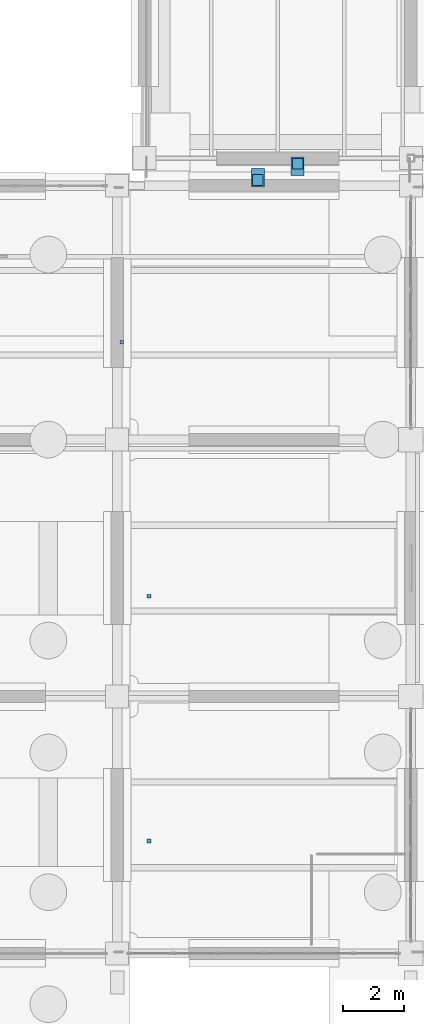
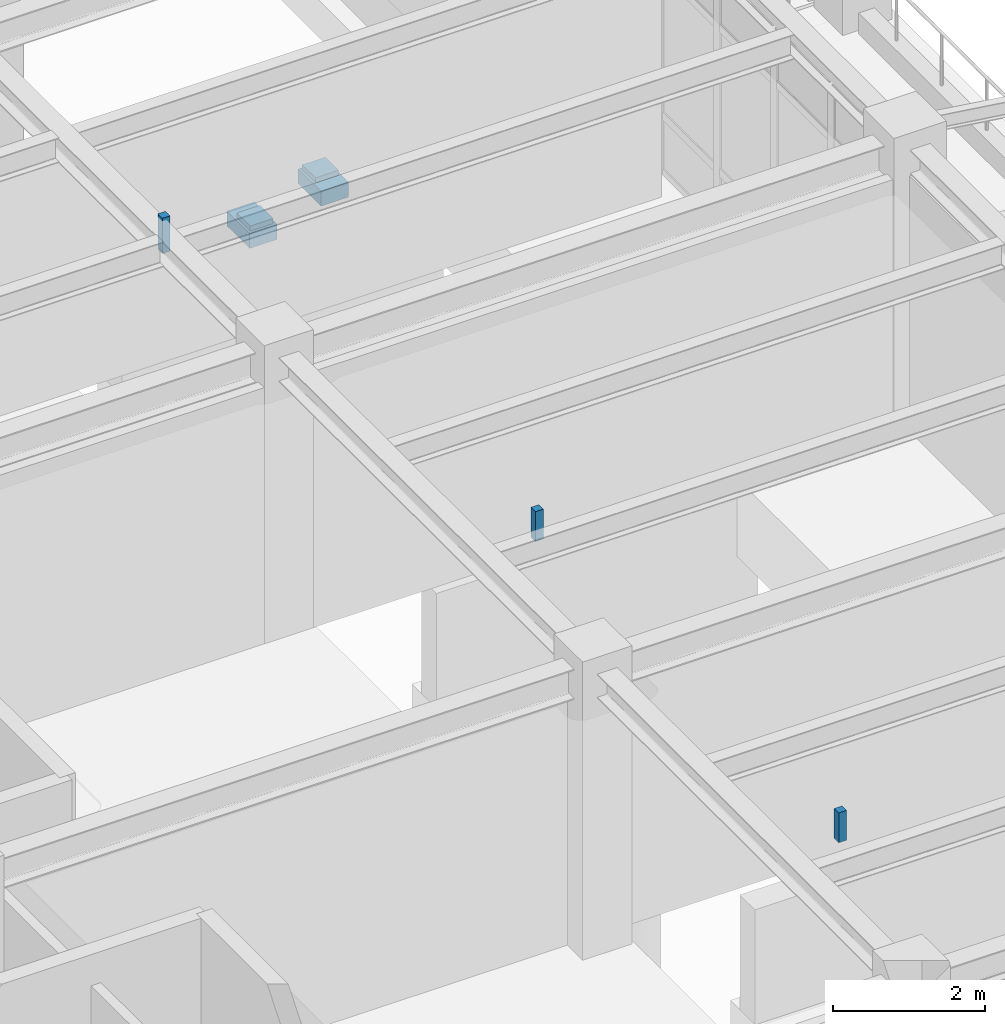
# One storey, part 93 of 111: 7 discrete accessories.
"""IFC4 building model written with IfcOpenShell, lengths in metres."""

from ifc_helpers import new_model, si_unit, direction, frame, origin, origin_2d, place, context, subcontext, project, spatial, rectangle, extrude, material, layer, layer_set, type_object, element, save


model = new_model("IFC4")

# Units and contexts
model_context = context("Model", 3, precision=1e-05, world=origin(), true_north=direction((0.0, 1.0)))
body_context = subcontext(model_context, "Body", "Model", "MODEL_VIEW")
ifc_project = project(units=[si_unit("LENGTHUNIT", "METRE"), si_unit("AREAUNIT", "SQUARE_METRE"), si_unit("VOLUMEUNIT", "CUBIC_METRE"), si_unit("PLANEANGLEUNIT", "RADIAN"), si_unit("MASSUNIT", "GRAM", prefix="KILO")], contexts=[model_context])

# Site, building, storey
site_placement = place(None, origin())
site = spatial("IfcSite", under=ifc_project, at=site_placement, CompositionType="ELEMENT")
building_placement = place(site_placement, origin())
building = spatial("IfcBuilding", under=site, at=building_placement, Name="Canglan Escarpment Cableway Terminal", CompositionType="ELEMENT")
storey_placement = place(building_placement, frame((0.0, 0.0, 4.800048828125)))
storey = spatial("IfcBuildingStorey", under=building, at=storey_placement, Name="L01", CompositionType="ELEMENT", Elevation=4.800048828125)

# Discrete accessories
ifc_material_1 = material(Name="Steel Q355B", Category="steel")
ifc_layer_1 = layer(ifc_material_1, 0.159912109375, Name="Steel Q355B")
ifc_layer_set_1 = layer_set([ifc_layer_1], Name="Steel Q355B")
discrete_accessory_type_1 = type_object("IfcDiscreteAccessoryType", Name="ACC-BRACKET-01", PredefinedType="BRACKET", material=ifc_layer_set_1)
discrete_accessory_1_placement = place(storey_placement, frame((167.43994140625, 19.675048828125, 4.08984375), z_axis=(0.0, 0.0, 1.0), x_axis=(1.0, 0.0, 0.0)))
element("IfcDiscreteAccessory", 1, at=discrete_accessory_1_placement, inside=storey, type_object=discrete_accessory_type_1, Name="Suspended ceiling hanger bracket BK-01", PredefinedType="BRACKET", context=body_context, shape_type="SweptSolid", body=[
    extrude(rectangle(XDim=0.1201171875, YDim=0.1201171875, at=origin_2d()), origin(), (0.0, 0.0, 1.0), 0.47998046875),
])
discrete_accessory_2_placement = place(storey_placement, frame((166.550048828125, 27.97998046875, 4.001953125), z_axis=(0.0, 0.0, 1.0), x_axis=(1.0, 0.0, 0.0)))
element("IfcDiscreteAccessory", 2, at=discrete_accessory_2_placement, inside=storey, type_object=discrete_accessory_type_1, Name="Suspended ceiling hanger bracket BK-01", PredefinedType="BRACKET", context=body_context, shape_type="SweptSolid", body=[
    extrude(rectangle(XDim=0.1201171875, YDim=0.1201171875, at=origin_2d()), origin(), (0.0, 0.0, 1.0), 0.568115234375),
])
discrete_accessory_3_placement = place(storey_placement, frame((167.43994140625, 11.675048828125, 4.08984375), z_axis=(0.0, 0.0, 1.0), x_axis=(1.0, 0.0, 0.0)))
element("IfcDiscreteAccessory", 3, at=discrete_accessory_3_placement, inside=storey, type_object=discrete_accessory_type_1, Name="Suspended ceiling hanger bracket BK-01", PredefinedType="BRACKET", context=body_context, shape_type="SweptSolid", body=[
    extrude(rectangle(XDim=0.1201171875, YDim=0.1201171875, at=origin_2d()), origin(), (0.0, 0.0, 1.0), 0.47998046875),
])
ifc_material_2 = material(Name="Concrete C40", Category="concrete")
ifc_layer_2 = layer(ifc_material_2, 0.239990234375, Name="Concrete C40")
ifc_layer_set_2 = layer_set([ifc_layer_2], Name="Concrete C40")
discrete_accessory_type_2 = type_object("IfcDiscreteAccessoryType", Name="ACC-CORBEL-CB01", PredefinedType="BRACKET", material=ifc_layer_set_2)
for number, where, z_axis, x_axis, name in (
    (4, (171.0, 33.364990234375, -0.5400390625), (0.0, 0.0, 1.0), (1.0, 0.0, 0.0), "Concrete C40 movement-joint corbel bearing ledge CB-01"),
    (5, (172.300048828125, 33.735107421875, -0.5400390625), (0.0, 0.0, 1.0), (1.0, 0.0, 0.0), "Concrete C40 movement-joint corbel bearing ledge CB-01"),
):
    element("IfcDiscreteAccessory", number, at=place(storey_placement, frame(where, z_axis=z_axis, x_axis=x_axis)), inside=storey, type_object=discrete_accessory_type_2, Name=name, PredefinedType="BRACKET", context=body_context, shape_type="SweptSolid", body=[
        extrude(rectangle(XDim=0.419921875, YDim=0.60009765625, at=origin_2d()), origin(), (0.0, 0.0, 1.0), 0.239990234375),
    ])
ifc_material_3 = material(Name="Stainless steel and PTFE elastomer", Category="steel")
ifc_layer_3 = layer(ifc_material_3, 0.080078125, Name="Stainless steel and PTFE elastomer")
ifc_layer_set_3 = layer_set([ifc_layer_3], Name="Stainless steel and PTFE elastomer")
discrete_accessory_type_3 = type_object("IfcDiscreteAccessoryType", Name="BRG-SLIDING-MJ01", PredefinedType="USERDEFINED", material=ifc_layer_set_3)
for number, where, z_axis, x_axis, name in (
    (6, (171.0, 33.284912109375, -0.300048828125), (0.0, 0.0, 1.0), (1.0, 0.0, 0.0), "Unguided PTFE-elastomeric sliding bearing pad MJ-01"),
    (7, (172.300048828125, 33.81494140625, -0.300048828125), (0.0, 0.0, 1.0), (1.0, 0.0, 0.0), "Unguided PTFE-elastomeric sliding bearing pad MJ-01"),
):
    element("IfcDiscreteAccessory", number, at=place(storey_placement, frame(where, z_axis=z_axis, x_axis=x_axis)), inside=storey, type_object=discrete_accessory_type_3, Name=name, ObjectType="SLIDING BEARING", PredefinedType="USERDEFINED", context=body_context, shape_type="SweptSolid", body=[
        extrude(rectangle(XDim=0.35009765625, YDim=0.35009765625, at=origin_2d()), origin(), (0.0, 0.0, 1.0), 0.080078125),
    ])

save(model, "model.ifc")
